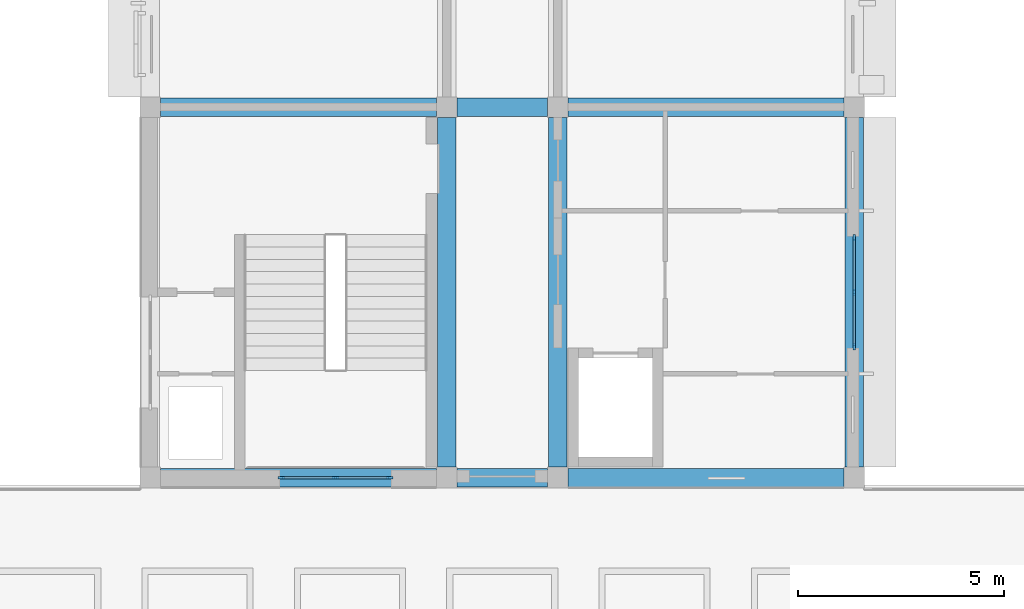
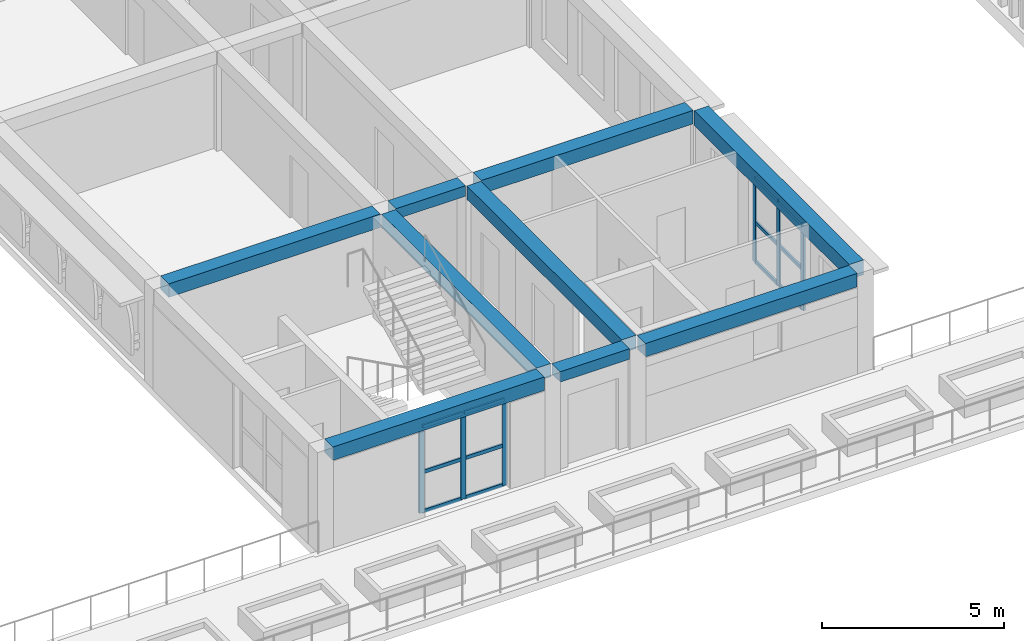
# One storey, part 17 of 82: 18 members, 9 beams, 2 elements without a shape of their own.
"""IFC4 building model written with IfcOpenShell, lengths in metres."""

import ifcopenshell
import ifcopenshell.guid

model = None  # the IFC model being written
_history = None  # IfcOwnerHistory: only IFC2X3 demands one
_inside = {}  # id of a spatial element -> (the spatial element, [elements in it])
_under = {}  # id of a project, library or spatial element -> (it, [spatial elements below it])
_declared = {}  # id of a project -> (the project, [libraries it declares])
_typed = {}  # id of a type object -> (the type object, [elements of that type])
_made_of = {}  # id of a material, layer set ... -> (it, [elements and type objects made of it])


def new_model(schema):
    """Start an empty IFC model of exactly this schema.

    Asked for "IFC4X3", IfcOpenShell would pick the latest addendum, in which some entities
    have other attributes; the version numbers below select the first issue.
    IFC2X3 requires an IfcOwnerHistory on every rooted entity: one is made here for all.
    """
    global model, _history
    if schema == "IFC4X3":
        model = ifcopenshell.file(schema_version=(4, 3, 0, 0))
    else:
        model = ifcopenshell.file(schema=schema)
    _inside.clear()
    _under.clear()
    _declared.clear()
    _typed.clear()
    _made_of.clear()
    _history = None
    if model.schema == "IFC2X3":
        org = make("IfcOrganization", Name="unknown")
        user = make(
            "IfcPersonAndOrganization",
            ThePerson=make("IfcPerson", FamilyName="unknown"),
            TheOrganization=org,
        )
        app = make(
            "IfcApplication",
            ApplicationDeveloper=org,
            Version="unknown",
            ApplicationFullName="unknown",
            ApplicationIdentifier="unknown",
        )
        _history = make(
            "IfcOwnerHistory",
            OwningUser=user,
            OwningApplication=app,
            ChangeAction="ADDED",
            CreationDate=0,
        )
    return model


def make(cls, **values):
    """One entity of the class cls with the attributes given. An attribute that is None is left unset."""
    return model.create_entity(
        cls, **{name: value for name, value in values.items() if value is not None}
    )


def rooted(cls, **values):
    """An entity with a GlobalId (a new one), such as an element, a storey or a relation."""
    return make(cls, GlobalId=ifcopenshell.guid.new(), OwnerHistory=_history, **values)


def si_unit(unit_type, name, prefix=None):
    """IfcSIUnit, for example si_unit("LENGTHUNIT", "METRE", prefix="MILLI")."""
    return make("IfcSIUnit", UnitType=unit_type, Prefix=prefix, Name=name)


def assignment(units):
    """IfcUnitAssignment: the units of a project."""
    return None if units is None else make("IfcUnitAssignment", Units=units)


def point(xyz):
    """IfcCartesianPoint."""
    return None if xyz is None else make("IfcCartesianPoint", Coordinates=xyz)


def direction(xyz):
    """IfcDirection."""
    return None if xyz is None else make("IfcDirection", DirectionRatios=xyz)


def frame(location, z_axis=None, x_axis=None):
    """IfcAxis2Placement3D, a coordinate frame: its origin and axes. An axis left out is left unset."""
    return make(
        "IfcAxis2Placement3D",
        Location=point(location),
        Axis=direction(z_axis),
        RefDirection=direction(x_axis),
    )


def frame_2d(location, x_axis=None):
    """IfcAxis2Placement2D, a coordinate frame in the plane: its origin and x axis."""
    return make(
        "IfcAxis2Placement2D", Location=point(location), RefDirection=direction(x_axis)
    )


def origin():
    """The frame at (0, 0, 0) with its axes left unset."""
    return frame((0.0, 0.0, 0.0))


def origin_2d():
    """The frame at (0, 0) in the plane with its x axis left unset."""
    return frame_2d((0.0, 0.0))


def place(relative_to, where):
    """IfcLocalPlacement: puts the frame where relative to a parent placement (None: the world)."""
    return make(
        "IfcLocalPlacement", PlacementRelTo=relative_to, RelativePlacement=where
    )


def context(
    kind, dimensions, precision=None, world=None, true_north=None, identifier=None
):
    """IfcGeometricRepresentationContext, for example the 3D "Model" context."""
    return make(
        "IfcGeometricRepresentationContext",
        ContextIdentifier=identifier,
        ContextType=kind,
        CoordinateSpaceDimension=dimensions,
        Precision=precision,
        WorldCoordinateSystem=world,
        TrueNorth=true_north,
    )


def subcontext(parent, identifier, kind, view, scale=None):
    """IfcGeometricRepresentationSubContext, for example "Body" below "Model"."""
    return make(
        "IfcGeometricRepresentationSubContext",
        ContextIdentifier=identifier,
        ContextType=kind,
        ParentContext=parent,
        TargetScale=scale,
        TargetView=view,
    )


def project(units=None, contexts=None):
    """IfcProject with its units and contexts."""
    return rooted(
        "IfcProject",
        Name="project",
        RepresentationContexts=contexts,
        UnitsInContext=assignment(units),
    )


def spatial(cls, under=None, at=None, **own):
    """A site, building, storey or space (cls), placed at a placement, below another one or the project."""
    s = rooted(cls, ObjectPlacement=at, **own)
    if under is not None:
        _under.setdefault(under.id(), (under, []))[1].append(s)
    return s


def profile(cls, at=None, kind="AREA", **sizes):
    """A parametric profile (cls). Its sizes go by their IFC names, for example OverallWidth=200.0."""
    return make(cls, ProfileType=kind, Position=at, **sizes)


def rectangle(**sizes):
    """IfcRectangleProfileDef."""
    return profile("IfcRectangleProfileDef", **sizes)


def extrude(swept, where, along, depth):
    """IfcExtrudedAreaSolid: the profile swept, set in the frame where, extruded along a direction by depth."""
    return make(
        "IfcExtrudedAreaSolid",
        SweptArea=swept,
        Position=where,
        ExtrudedDirection=direction(along),
        Depth=depth,
    )


def shape(context_of_items, identifier, shape_type, items):
    """IfcShapeRepresentation: the items that make up one representation, for example the "Body"."""
    return make(
        "IfcShapeRepresentation",
        ContextOfItems=context_of_items,
        RepresentationIdentifier=identifier,
        RepresentationType=shape_type,
        Items=items,
    )


def material(Name=None, Category=None):
    """IfcMaterial."""
    return make("IfcMaterial", Name=Name, Category=Category)


def layer(
    of_material, thickness, ventilated=None, Name=None, Category=None, Priority=None
):
    """IfcMaterialLayer: one layer of a wall or slab, of a material (None: an air gap)."""
    return make(
        "IfcMaterialLayer",
        Material=of_material,
        LayerThickness=thickness,
        IsVentilated=ventilated,
        Name=Name,
        Category=Category,
        Priority=Priority,
    )


def layer_set(layers, Name=None):
    """IfcMaterialLayerSet."""
    return make("IfcMaterialLayerSet", MaterialLayers=layers, LayerSetName=Name)


def material_profile(
    of_material, cross_section, Name=None, Category=None, Priority=None
):
    """IfcMaterialProfile: a cross section and its material."""
    return make(
        "IfcMaterialProfile",
        Name=Name,
        Material=of_material,
        Profile=cross_section,
        Priority=Priority,
        Category=Category,
    )


def profile_set(profiles, Name=None, composite=None):
    """IfcMaterialProfileSet."""
    return make(
        "IfcMaterialProfileSet",
        Name=Name,
        MaterialProfiles=profiles,
        CompositeProfile=composite,
    )


def made_of(thing, what):
    """Note that an element or type object is made of a material, layer set ...; save() writes the relation."""
    if what is not None:
        _made_of.setdefault(what.id(), (what, []))[1].append(thing)
    return thing


def type_object(cls, material=None, **own):
    """A type object (cls), such as IfcWallType, which elements share."""
    return made_of(rooted(cls, **own), material)


def element(
    cls,
    number,
    at=None,
    inside=None,
    cuts=None,
    type_object=None,
    material=None,
    context=None,
    identifier="Body",
    shape_type=None,
    held_by="IfcProductDefinitionShape",
    body=None,
    shapes=None,
    **own,
):
    """One element of the class cls, such as IfcWall. Its Tag is "e" and its number.

    at: its placement. inside: the storey or other place that contains it. cuts: it is an
    opening in that element (IfcRelVoidsElement). A single representation is given by context,
    identifier, shape_type and body (its items); several are given by shapes. held_by: the class
    of the entity that holds the representations. save() writes the other relations.
    """
    e = rooted(cls, Tag="e%d" % number, ObjectPlacement=at, **own)
    if body is not None:
        shapes = [shape(context, identifier, shape_type, body)]
    if shapes is not None:
        e.Representation = make(held_by, Representations=shapes)
    if inside is not None:
        _inside.setdefault(inside.id(), (inside, []))[1].append(e)
    if cuts is not None:
        rooted(
            "IfcRelVoidsElement", RelatingBuildingElement=cuts, RelatedOpeningElement=e
        )
    if type_object is not None:
        _typed.setdefault(type_object.id(), (type_object, []))[1].append(e)
    return made_of(e, material)


def aggregate(whole, parts):
    """IfcRelAggregates: a whole, such as a stair, and the parts it consists of."""
    return rooted("IfcRelAggregates", RelatingObject=whole, RelatedObjects=parts)


def save(model, path):
    """Write the relations noted so far, then the file.

    IfcRelAggregates (storeys below a building ...), IfcRelContainedInSpatialStructure (elements
    in a storey), IfcRelDefinesByType, IfcRelAssociatesMaterial and IfcRelDeclares: one each for
    every whole, place, type object, material and project.
    """
    for whole, parts in _under.values():
        aggregate(whole, parts)
    for where, things in _inside.values():
        rooted(
            "IfcRelContainedInSpatialStructure",
            RelatedElements=things,
            RelatingStructure=where,
        )
    for kind, things in _typed.values():
        rooted("IfcRelDefinesByType", RelatedObjects=things, RelatingType=kind)
    for what, things in _made_of.values():
        rooted("IfcRelAssociatesMaterial", RelatedObjects=things, RelatingMaterial=what)
    for by, libraries in _declared.values():
        rooted("IfcRelDeclares", RelatingContext=by, RelatedDefinitions=libraries)
    model.write(path)


model = new_model("IFC4")

# Units and contexts
model_context = context("Model", 3, precision=1e-05, world=origin(), true_north=direction((0.0, 1.0)))
body_context = subcontext(model_context, "Body", "Model", "MODEL_VIEW")
ifc_project = project(units=[si_unit("LENGTHUNIT", "METRE"), si_unit("AREAUNIT", "SQUARE_METRE"), si_unit("VOLUMEUNIT", "CUBIC_METRE"), si_unit("PLANEANGLEUNIT", "RADIAN"), si_unit("MASSUNIT", "GRAM", prefix="KILO")], contexts=[model_context])

# Site, building, storey
site_placement = place(None, origin())
site = spatial("IfcSite", under=ifc_project, at=site_placement, CompositionType="ELEMENT")
building_placement = place(site_placement, origin())
building = spatial("IfcBuilding", under=site, at=building_placement, Name="Elbe Cascade School", CompositionType="ELEMENT")
storey_placement = place(building_placement, frame((0.0, 0.0, 4.5)))
storey = spatial("IfcBuildingStorey", under=building, at=storey_placement, Name="L01", CompositionType="ELEMENT", Elevation=4.5)

# Curtain wall, members
ifc_material_1 = material(Name="Aluminium frame with double glazing, bronze anodised", Category="aluminium")
ifc_layer = layer(ifc_material_1, 0.159912109375)
ifc_layer_set = layer_set([ifc_layer], Name="Aluminium frame with double glazing, bronze anodised")
curtain_wall_type = type_object("IfcCurtainWallType", Name="Bars envelope Curtain wall, aluminium, bronze anodised, storey-high slot", PredefinedType="NOTDEFINED", material=ifc_layer_set)
curtain_wall_1_placement = place(storey_placement, origin())
curtain_wall_1 = element("IfcCurtainWall", 1, at=curtain_wall_1_placement, inside=storey, type_object=curtain_wall_type, Name="Curtain wall CW4 B.L01.e1", PredefinedType="NOTDEFINED")
ifc_material_2 = material(Name="Aluminium mullion, bronze anodised", Category="aluminium")
ifc_material_profile_1 = material_profile(ifc_material_2, rectangle(XDim=0.06005859375, YDim=0.159912109375, at=origin_2d()), Name="Bars envelope Curtain wall mullion 60 x 160, aluminium, storey-high slot")
ifc_profile_set_1 = profile_set([ifc_material_profile_1], Name="Aluminium mullion, bronze anodised")
member_type_1 = type_object("IfcMemberType", Name="Bars envelope Curtain wall mullion 60 x 160, aluminium, storey-high slot", PredefinedType="MULLION", material=ifc_profile_set_1)
member_1_placement = place(storey_placement, frame((115.699951171875, 11.820068359375, 0.0), z_axis=(0.0, 0.0, 1.0), x_axis=(1.0, 0.0, 0.0)))
member_1 = element("IfcMember", 2, at=member_1_placement, type_object=member_type_1, Name="CW4 mullion 1", PredefinedType="MULLION", context=body_context, shape_type="SweptSolid", body=[
    extrude(rectangle(XDim=0.06005859375, YDim=0.159912109375, at=origin_2d()), origin(), (0.0, 0.0, 1.0), 2.85009765625),
])
member_2_placement = place(storey_placement, frame((115.699951171875, 10.5, 0.0), z_axis=(0.0, 0.0, 1.0), x_axis=(1.0, 0.0, 0.0)))
member_2 = element("IfcMember", 3, at=member_2_placement, type_object=member_type_1, Name="CW4 mullion 2", PredefinedType="MULLION", context=body_context, shape_type="SweptSolid", body=[
    extrude(rectangle(XDim=0.06005859375, YDim=0.159912109375, at=origin_2d()), origin(), (0.0, 0.0, 1.0), 2.85009765625),
])
member_3_placement = place(storey_placement, frame((115.699951171875, 9.179931640625, 0.0), z_axis=(0.0, 0.0, 1.0), x_axis=(1.0, 0.0, 0.0)))
member_3 = element("IfcMember", 4, at=member_3_placement, type_object=member_type_1, Name="CW4 mullion 3", PredefinedType="MULLION", context=body_context, shape_type="SweptSolid", body=[
    extrude(rectangle(XDim=0.06005859375, YDim=0.159912109375, at=origin_2d()), origin(), (0.0, 0.0, 1.0), 2.85009765625),
])

curtain_wall_2_placement = place(storey_placement, origin())
curtain_wall_2 = element("IfcCurtainWall", 5, at=curtain_wall_2_placement, inside=storey, type_object=curtain_wall_type, Name="Curtain wall CW4 B.L01.s1", PredefinedType="NOTDEFINED")
member_4_placement = place(storey_placement, frame((104.419921875, 6.0, 0.0), z_axis=(0.0, 0.0, 1.0), x_axis=(0.0, -1.0, 0.0)))
member_4 = element("IfcMember", 6, at=member_4_placement, type_object=member_type_1, Name="CW4 mullion 1", PredefinedType="MULLION", context=body_context, shape_type="SweptSolid", body=[
    extrude(rectangle(XDim=0.06005859375, YDim=0.159912109375, at=origin_2d()), origin(), (0.0, 0.0, 1.0), 2.89990234375),
])
member_5_placement = place(storey_placement, frame((103.10009765625, 6.0, 0.0), z_axis=(0.0, 0.0, 1.0), x_axis=(0.0, -1.0, 0.0)))
member_5 = element("IfcMember", 7, at=member_5_placement, type_object=member_type_1, Name="CW4 mullion 2", PredefinedType="MULLION", context=body_context, shape_type="SweptSolid", body=[
    extrude(rectangle(XDim=0.06005859375, YDim=0.159912109375, at=origin_2d()), origin(), (0.0, 0.0, 1.0), 2.89990234375),
])
member_6_placement = place(storey_placement, frame((101.780029296875, 6.0, 0.0), z_axis=(0.0, 0.0, 1.0), x_axis=(0.0, -1.0, 0.0)))
member_6 = element("IfcMember", 8, at=member_6_placement, type_object=member_type_1, Name="CW4 mullion 3", PredefinedType="MULLION", context=body_context, shape_type="SweptSolid", body=[
    extrude(rectangle(XDim=0.06005859375, YDim=0.159912109375, at=origin_2d()), origin(), (0.0, 0.0, 1.0), 2.89990234375),
])

# Member
ifc_material_3 = material(Name="Aluminium transom, bronze anodised", Category="aluminium")
ifc_material_profile_2 = material_profile(ifc_material_3, rectangle(XDim=0.06005859375, YDim=0.1201171875, at=origin_2d()), Name="Bars envelope Curtain wall transom 60 x 120, aluminium, storey-high slot")
ifc_profile_set_2 = profile_set([ifc_material_profile_2], Name="Aluminium transom, bronze anodised")
member_type_2 = type_object("IfcMemberType", Name="Bars envelope Curtain wall transom 60 x 120, aluminium, storey-high slot", PredefinedType="USERDEFINED", material=ifc_profile_set_2)
member_7_placement = place(storey_placement, frame((115.699951171875, 11.7900390625, 0.030029296875), z_axis=(0.0, -1.0, 0.0), x_axis=(1.0, 0.0, 0.0)))
member_7 = element("IfcMember", 9, at=member_7_placement, type_object=member_type_2, Name="CW4 transom 1.1", ObjectType="TRANSOM", PredefinedType="USERDEFINED", context=body_context, shape_type="SweptSolid", body=[
    extrude(rectangle(XDim=0.06005859375, YDim=0.1201171875, at=origin_2d()), origin(), (0.0, 0.0, 1.0), 1.260009765625),
])

member_8_placement = place(storey_placement, frame((115.699951171875, 11.7900390625, 1.35009765625), z_axis=(0.0, -1.0, 0.0), x_axis=(1.0, 0.0, 0.0)))
member_8 = element("IfcMember", 10, at=member_8_placement, type_object=member_type_2, Name="CW4 transom 1.2", ObjectType="TRANSOM", PredefinedType="USERDEFINED", context=body_context, shape_type="SweptSolid", body=[
    extrude(rectangle(XDim=0.06005859375, YDim=0.1201171875, at=origin_2d()), origin(), (0.0, 0.0, 1.0), 1.260009765625),
])

member_9_placement = place(storey_placement, frame((115.699951171875, 11.7900390625, 2.820068359375), z_axis=(0.0, -1.0, 0.0), x_axis=(1.0, 0.0, 0.0)))
member_9 = element("IfcMember", 11, at=member_9_placement, type_object=member_type_2, Name="CW4 transom 1.3", ObjectType="TRANSOM", PredefinedType="USERDEFINED", context=body_context, shape_type="SweptSolid", body=[
    extrude(rectangle(XDim=0.06005859375, YDim=0.1201171875, at=origin_2d()), origin(), (0.0, 0.0, 1.0), 1.260009765625),
])

member_10_placement = place(storey_placement, frame((115.699951171875, 10.469970703125, 0.030029296875), z_axis=(0.0, -1.0, 0.0), x_axis=(1.0, 0.0, 0.0)))
member_10 = element("IfcMember", 12, at=member_10_placement, type_object=member_type_2, Name="CW4 transom 2.1", ObjectType="TRANSOM", PredefinedType="USERDEFINED", context=body_context, shape_type="SweptSolid", body=[
    extrude(rectangle(XDim=0.06005859375, YDim=0.1201171875, at=origin_2d()), origin(), (0.0, 0.0, 1.0), 1.260009765625),
])

member_11_placement = place(storey_placement, frame((115.699951171875, 10.469970703125, 1.35009765625), z_axis=(0.0, -1.0, 0.0), x_axis=(1.0, 0.0, 0.0)))
member_11 = element("IfcMember", 13, at=member_11_placement, type_object=member_type_2, Name="CW4 transom 2.2", ObjectType="TRANSOM", PredefinedType="USERDEFINED", context=body_context, shape_type="SweptSolid", body=[
    extrude(rectangle(XDim=0.06005859375, YDim=0.1201171875, at=origin_2d()), origin(), (0.0, 0.0, 1.0), 1.260009765625),
])

member_12_placement = place(storey_placement, frame((115.699951171875, 10.469970703125, 2.820068359375), z_axis=(0.0, -1.0, 0.0), x_axis=(1.0, 0.0, 0.0)))
member_12 = element("IfcMember", 14, at=member_12_placement, type_object=member_type_2, Name="CW4 transom 2.3", ObjectType="TRANSOM", PredefinedType="USERDEFINED", context=body_context, shape_type="SweptSolid", body=[
    extrude(rectangle(XDim=0.06005859375, YDim=0.1201171875, at=origin_2d()), origin(), (0.0, 0.0, 1.0), 1.260009765625),
])

aggregate(curtain_wall_1, [member_1, member_2, member_3, member_7, member_8, member_9, member_10, member_11, member_12])

member_13_placement = place(storey_placement, frame((104.389892578125, 6.0, 0.030029296875), z_axis=(-1.0, 0.0, 0.0), x_axis=(0.0, -1.0, 0.0)))
member_13 = element("IfcMember", 15, at=member_13_placement, type_object=member_type_2, Name="CW4 transom 1.1", ObjectType="TRANSOM", PredefinedType="USERDEFINED", context=body_context, shape_type="SweptSolid", body=[
    extrude(rectangle(XDim=0.06005859375, YDim=0.1201171875, at=origin_2d()), origin(), (0.0, 0.0, 1.0), 1.260009765625),
])

member_14_placement = place(storey_placement, frame((104.389892578125, 6.0, 1.35009765625), z_axis=(-1.0, 0.0, 0.0), x_axis=(0.0, -1.0, 0.0)))
member_14 = element("IfcMember", 16, at=member_14_placement, type_object=member_type_2, Name="CW4 transom 1.2", ObjectType="TRANSOM", PredefinedType="USERDEFINED", context=body_context, shape_type="SweptSolid", body=[
    extrude(rectangle(XDim=0.06005859375, YDim=0.1201171875, at=origin_2d()), origin(), (0.0, 0.0, 1.0), 1.260009765625),
])

member_15_placement = place(storey_placement, frame((104.389892578125, 6.0, 2.8701171875), z_axis=(-1.0, 0.0, 0.0), x_axis=(0.0, -1.0, 0.0)))
member_15 = element("IfcMember", 17, at=member_15_placement, type_object=member_type_2, Name="CW4 transom 1.3", ObjectType="TRANSOM", PredefinedType="USERDEFINED", context=body_context, shape_type="SweptSolid", body=[
    extrude(rectangle(XDim=0.06005859375, YDim=0.1201171875, at=origin_2d()), origin(), (0.0, 0.0, 1.0), 1.260009765625),
])

member_16_placement = place(storey_placement, frame((103.070068359375, 6.0, 0.030029296875), z_axis=(-1.0, 0.0, 0.0), x_axis=(0.0, -1.0, 0.0)))
member_16 = element("IfcMember", 18, at=member_16_placement, type_object=member_type_2, Name="CW4 transom 2.1", ObjectType="TRANSOM", PredefinedType="USERDEFINED", context=body_context, shape_type="SweptSolid", body=[
    extrude(rectangle(XDim=0.06005859375, YDim=0.1201171875, at=origin_2d()), origin(), (0.0, 0.0, 1.0), 1.260009765625),
])

member_17_placement = place(storey_placement, frame((103.070068359375, 6.0, 1.35009765625), z_axis=(-1.0, 0.0, 0.0), x_axis=(0.0, -1.0, 0.0)))
member_17 = element("IfcMember", 19, at=member_17_placement, type_object=member_type_2, Name="CW4 transom 2.2", ObjectType="TRANSOM", PredefinedType="USERDEFINED", context=body_context, shape_type="SweptSolid", body=[
    extrude(rectangle(XDim=0.06005859375, YDim=0.1201171875, at=origin_2d()), origin(), (0.0, 0.0, 1.0), 1.260009765625),
])

member_18_placement = place(storey_placement, frame((103.070068359375, 6.0, 2.8701171875), z_axis=(-1.0, 0.0, 0.0), x_axis=(0.0, -1.0, 0.0)))
member_18 = element("IfcMember", 20, at=member_18_placement, type_object=member_type_2, Name="CW4 transom 2.3", ObjectType="TRANSOM", PredefinedType="USERDEFINED", context=body_context, shape_type="SweptSolid", body=[
    extrude(rectangle(XDim=0.06005859375, YDim=0.1201171875, at=origin_2d()), origin(), (0.0, 0.0, 1.0), 1.260009765625),
])

aggregate(curtain_wall_2, [member_4, member_5, member_6, member_13, member_14, member_15, member_16, member_17, member_18])

# Beams
ifc_material_4 = material(Name="Concrete C30/37", Category="concrete")
ifc_material_profile_3 = material_profile(ifc_material_4, rectangle(XDim=0.449951171875, YDim=0.35009765625, at=origin_2d()), Name="RC 450x350")
ifc_profile_set_3 = profile_set([ifc_material_profile_3], Name="Concrete C30/37")
beam_type_1 = type_object("IfcBeamType", Name="RC 450x350 beam", PredefinedType="BEAM", material=ifc_profile_set_3)
for number, where, z_axis, x_axis, name in (
    (21, (106.050048828125, 6.0, 3.175048828125), (1.0, 0.0, 0.0), (0.0, 1.0, 0.0), "RC 450x350 beam B11"),
    (22, (106.050048828125, 15.0, 3.175048828125), (1.0, 0.0, 0.0), (0.0, 1.0, 0.0), "RC 450x350 beam B11"),
):
    element("IfcBeam", number, at=place(storey_placement, frame(where, z_axis=z_axis, x_axis=x_axis)), inside=storey, type_object=beam_type_1, Name=name, PredefinedType="BEAM", context=body_context, shape_type="SweptSolid", body=[
        extrude(rectangle(XDim=0.449951171875, YDim=0.35009765625, at=origin_2d()), origin(), (0.0, 0.0, 1.0), 2.199951171875),
    ])
ifc_material_5 = material(Name="Concrete C30/37", Category="concrete")
ifc_material_profile_4 = material_profile(ifc_material_5, rectangle(XDim=0.449951171875, YDim=0.449951171875, at=origin_2d()), Name="RC 450x450")
ifc_profile_set_4 = profile_set([ifc_material_profile_4], Name="Concrete C30/37")
beam_type_2 = type_object("IfcBeamType", Name="RC 450x450 beam", PredefinedType="BEAM", material=ifc_profile_set_4)
for number, where, z_axis, x_axis, name in (
    (23, (105.800048828125, 6.25, 3.125), (0.0, 1.0, 0.0), (-1.0, 0.0, 0.0), "RC 450x450 beam B10"),
    (24, (108.5, 6.25, 3.125), (0.0, 1.0, 0.0), (-1.0, 0.0, 0.0), "RC 450x450 beam B10"),
):
    element("IfcBeam", number, at=place(storey_placement, frame(where, z_axis=z_axis, x_axis=x_axis)), inside=storey, type_object=beam_type_2, Name=name, PredefinedType="BEAM", context=body_context, shape_type="SweptSolid", body=[
        extrude(rectangle(XDim=0.449951171875, YDim=0.449951171875, at=origin_2d()), origin(), (0.0, 0.0, 1.0), 8.5),
    ])
for number, where, z_axis, x_axis, name in (
    (25, (98.85009765625, 6.0, 3.125), (1.0, 0.0, 0.0), (0.0, 1.0, 0.0), "RC 450x450 beam B10"),
    (26, (108.75, 6.0, 3.125), (1.0, 0.0, 0.0), (0.0, 1.0, 0.0), "RC 450x450 beam B10"),
    (27, (98.85009765625, 15.0, 3.125), (1.0, 0.0, 0.0), (0.0, 1.0, 0.0), "RC 450x450 beam B10"),
    (28, (108.75, 15.0, 3.125), (1.0, 0.0, 0.0), (0.0, 1.0, 0.0), "RC 450x450 beam B10"),
):
    element("IfcBeam", number, at=place(storey_placement, frame(where, z_axis=z_axis, x_axis=x_axis)), inside=storey, type_object=beam_type_2, Name=name, PredefinedType="BEAM", context=body_context, shape_type="SweptSolid", body=[
        extrude(rectangle(XDim=0.449951171875, YDim=0.449951171875, at=origin_2d()), origin(), (0.0, 0.0, 1.0), 6.699951171875),
    ])
ifc_material_6 = material(Name="Concrete C30/37", Category="concrete")
ifc_material_profile_5 = material_profile(ifc_material_6, rectangle(XDim=0.449951171875, YDim=0.5, at=origin_2d()), Name="RC 450x500")
ifc_profile_set_5 = profile_set([ifc_material_profile_5], Name="Concrete C30/37")
beam_type_3 = type_object("IfcBeamType", Name="RC 450x500 beam", PredefinedType="BEAM", material=ifc_profile_set_5)
beam_placement = place(storey_placement, frame((115.699951171875, 6.25, 3.10009765625), z_axis=(0.0, 1.0, 0.0), x_axis=(-1.0, 0.0, 0.0)))
element("IfcBeam", 29, at=beam_placement, inside=storey, type_object=beam_type_3, Name="RC 450x500 beam B9", PredefinedType="BEAM", context=body_context, shape_type="SweptSolid", body=[
    extrude(rectangle(XDim=0.449951171875, YDim=0.5, at=origin_2d()), origin(), (0.0, 0.0, 1.0), 8.5),
])

save(model, "model.ifc")
